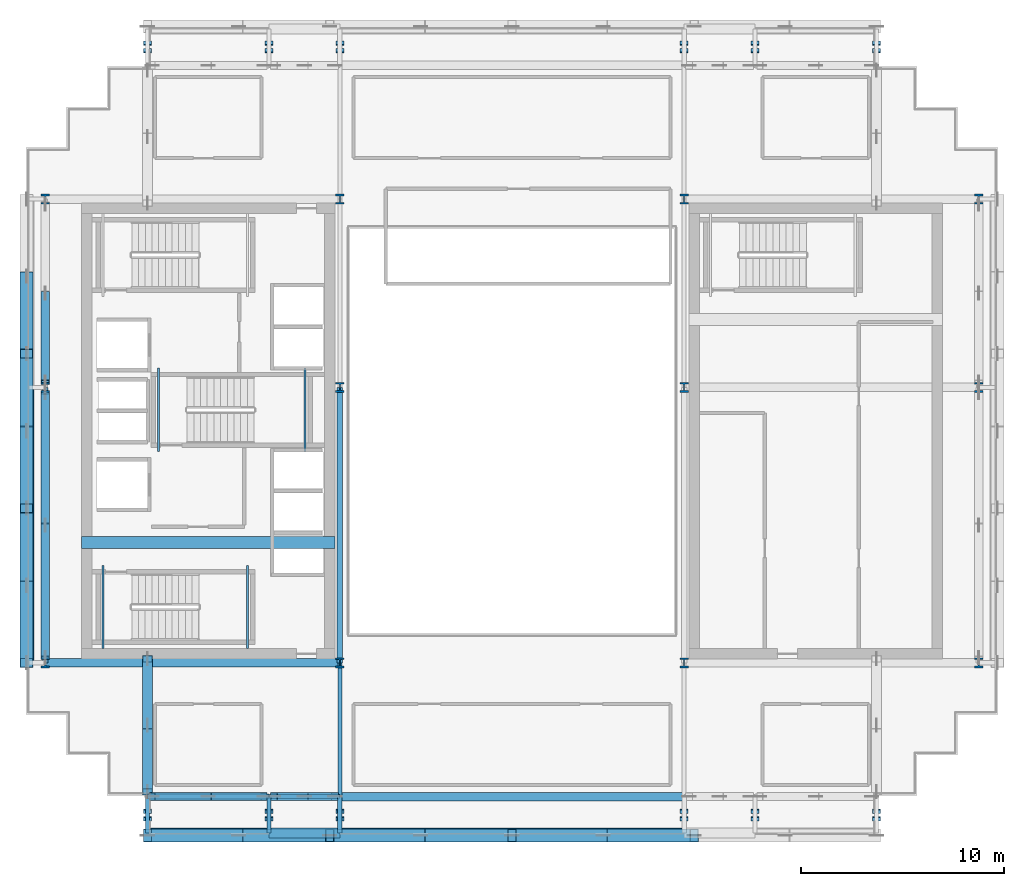
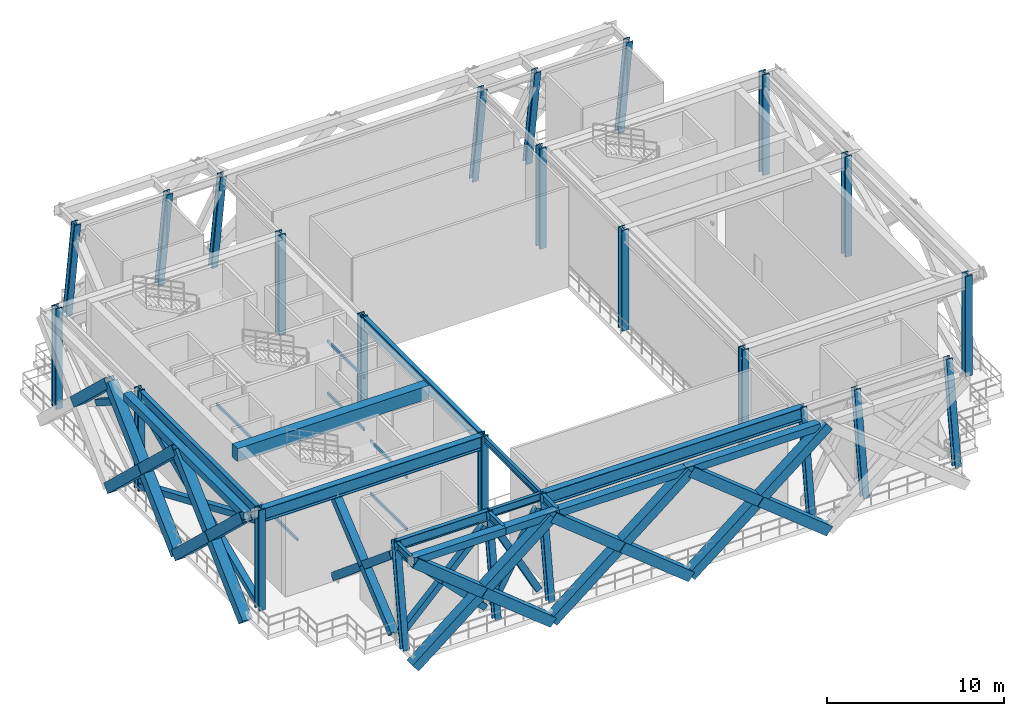
# One storey, part 1 of 13: 29 members, 24 columns, 21 beams.
"""IFC4 building model written with IfcOpenShell, lengths in metres."""

from ifc_helpers import new_model, si_unit, direction, frame, origin, origin_2d, place, context, subcontext, project, spatial, rectangle, hollow_rectangle, i_section, extrude, source, transform, mapped, material, material_profile, profile_set, type_object, element, save


model = new_model("IFC4")

# Units and contexts
model_context = context("Model", 3, precision=1e-05, world=origin(), true_north=direction((0.0, 1.0)))
body_context = subcontext(model_context, "Body", "Model", "MODEL_VIEW")
ifc_project = project(units=[si_unit("LENGTHUNIT", "METRE"), si_unit("AREAUNIT", "SQUARE_METRE"), si_unit("VOLUMEUNIT", "CUBIC_METRE"), si_unit("PLANEANGLEUNIT", "RADIAN"), si_unit("MASSUNIT", "GRAM", prefix="KILO")], contexts=[model_context])

# Site, building, storey
site_placement = place(None, origin())
site = spatial("IfcSite", under=ifc_project, at=site_placement, CompositionType="ELEMENT")
building_placement = place(site_placement, origin())
building = spatial("IfcBuilding", under=site, at=building_placement, Name="Ocotamira Hotel", CompositionType="ELEMENT")
storey_placement = place(building_placement, frame((0.0, 0.0, 220.800048828125)))
storey = spatial("IfcBuildingStorey", under=building, at=storey_placement, Name="L56", CompositionType="ELEMENT", Elevation=220.800048828125)

# Columns
ifc_material_1 = material(Name="Steel ASTM A913 Grade 65", Category="steel")
ifc_material_profile_1 = material_profile(ifc_material_1, i_section(OverallWidth=0.431884765625, OverallDepth=0.498046875, WebThickness=0.0556640625, FlangeThickness=0.0888671875, FilletRadius=0.02490234375, at=origin_2d()), Name="W14X500")
ifc_profile_set_1 = profile_set([ifc_material_profile_1], Name="Steel ASTM A913 Grade 65")
column_type_1 = type_object("IfcColumnType", Name="COL-W14X500", PredefinedType="COLUMN", material=ifc_profile_set_1)
shared_shape_1 = source(origin(), body_context, "Body", "SweptSolid", [
    extrude(i_section(OverallWidth=0.431884765625, OverallDepth=0.498046875, WebThickness=0.0556640625, FlangeThickness=0.0888671875, FilletRadius=0.02490234375, at=origin_2d()), origin(), (0.0, 0.0, 1.0), 6.919921875),
])
for number, where, z_axis, x_axis, name in (
    (1, (8.949951171875, 14.550048828125, 0.0), (0.0, 0.0, 1.0), (1.0, 0.0, 0.0), "L56 Column TW8_14"),
    (2, (23.5, 14.550048828125, 0.0), (0.0, 0.0, 1.0), (1.0, 0.0, 0.0), "L56 Column TW23_14"),
    (3, (40.5, 14.550048828125, 0.0), (0.0, 0.0, 1.0), (1.0, 0.0, 0.0), "L56 Column TE40_14"),
    (4, (55.050048828125, 14.550048828125, 0.0), (0.0, 0.0, 1.0), (1.0, 0.0, 0.0), "L56 Column TE55_14"),
    (5, (8.949951171875, 28.14990234375, 0.0), (0.0, 0.0, 1.0), (1.0, 0.0, 0.0), "L56 Column TW8_28"),
    (6, (23.5, 28.14990234375, 0.0), (0.0, 0.0, 1.0), (1.0, 0.0, 0.0), "L56 Column TW23_28"),
    (7, (40.5, 28.14990234375, 0.0), (0.0, 0.0, 1.0), (1.0, 0.0, 0.0), "L56 Column TE40_28"),
    (8, (55.050048828125, 28.14990234375, 0.0), (0.0, 0.0, 1.0), (1.0, 0.0, 0.0), "L56 Column TE55_28"),
    (9, (8.949951171875, 37.449951171875, 0.0), (0.0, 0.0, 1.0), (1.0, 0.0, 0.0), "L56 Column TW8_37"),
    (10, (23.5, 37.449951171875, 0.0), (0.0, 0.0, 1.0), (1.0, 0.0, 0.0), "L56 Column TW23_37"),
    (11, (40.5, 37.449951171875, 0.0), (0.0, 0.0, 1.0), (1.0, 0.0, 0.0), "L56 Column TE40_37"),
    (12, (55.050048828125, 37.449951171875, 0.0), (0.0, 0.0, 1.0), (1.0, 0.0, 0.0), "L56 Column TE55_37"),
):
    element("IfcColumn", number, at=place(storey_placement, frame(where, z_axis=z_axis, x_axis=x_axis)), inside=storey, type_object=column_type_1, Name=name, PredefinedType="COLUMN", context=body_context, shape_type="MappedRepresentation", body=[
        mapped(shared_shape_1, transform((0.0, 0.0, 0.0), scale=1.0)),
    ])
ifc_material_profile_2 = material_profile(ifc_material_1, i_section(OverallWidth=0.404052734375, OverallDepth=0.406982421875, WebThickness=0.027099609375, FlangeThickness=0.043701171875, FilletRadius=0.02490234375, at=origin_2d()), Name="W14X233")
ifc_profile_set_2 = profile_set([ifc_material_profile_2], Name="Steel ASTM A913 Grade 65")
column_type_2 = type_object("IfcColumnType", Name="COL-W14X233", PredefinedType="COLUMN", material=ifc_profile_set_2)
shared_shape_2 = source(origin(), body_context, "Body", "SweptSolid", [
    extrude(i_section(OverallWidth=0.404052734375, OverallDepth=0.406982421875, WebThickness=0.027099609375, FlangeThickness=0.043701171875, FilletRadius=0.02490234375, at=origin_2d()), origin(), (0.0, 0.0, 1.0), 6.99169921875),
])
for number, where, z_axis, x_axis, name in (
    (13, (14.0, 6.949951171875, 0.0), (0.0, 0.1430246107, 0.989719132246), (-1.0, 0.0, 0.0), "L56 Column NSP1_14"),
    (14, (20.0, 6.949951171875, 0.0), (0.0, 0.1430246107, 0.989719132246), (-1.0, 0.0, 0.0), "L56 Column NSP1_20"),
    (15, (23.5, 6.949951171875, 0.0), (0.0, 0.1430246107, 0.989719132246), (-1.0, 0.0, 0.0), "L56 Column NSP1_23"),
    (16, (40.5, 6.949951171875, 0.0), (0.0, 0.1430246107, 0.989719132246), (-1.0, 0.0, 0.0), "L56 Column NSP1_40"),
    (17, (44.0, 6.949951171875, 0.0), (0.0, 0.1430246107, 0.989719132246), (-1.0, 0.0, 0.0), "L56 Column NSP1_44"),
    (18, (50.0, 6.949951171875, 0.0), (0.0, 0.1430246107, 0.989719132246), (-1.0, 0.0, 0.0), "L56 Column NSP1_50"),
    (19, (14.0, 45.050048828125, 0.0), (0.0, -0.1430246107, 0.989719132246), (1.0, 0.0, 0.0), "L56 Column NSP2_14"),
    (20, (20.0, 45.050048828125, 0.0), (0.0, -0.1430246107, 0.989719132246), (1.0, 0.0, 0.0), "L56 Column NSP2_20"),
    (21, (23.5, 45.050048828125, 0.0), (0.0, -0.1430246107, 0.989719132246), (1.0, 0.0, 0.0), "L56 Column NSP2_23"),
    (22, (40.5, 45.050048828125, 0.0), (0.0, -0.1430246107, 0.989719132246), (1.0, 0.0, 0.0), "L56 Column NSP2_40"),
    (23, (44.0, 45.050048828125, 0.0), (0.0, -0.1430246107, 0.989719132246), (1.0, 0.0, 0.0), "L56 Column NSP2_44"),
    (24, (50.0, 45.050048828125, 0.0), (0.0, -0.1430246107, 0.989719132246), (1.0, 0.0, 0.0), "L56 Column NSP2_50"),
):
    element("IfcColumn", number, at=place(storey_placement, frame(where, z_axis=z_axis, x_axis=x_axis)), inside=storey, type_object=column_type_2, Name=name, PredefinedType="COLUMN", context=body_context, shape_type="MappedRepresentation", body=[
        mapped(shared_shape_2, transform((0.0, 0.0, 0.0), scale=1.0)),
    ])

# Beams
ifc_material_2 = material(Name="Concrete C50/60", Category="concrete")
ifc_material_profile_3 = material_profile(ifc_material_2, rectangle(XDim=0.60009765625, YDim=0.89990234375, at=origin_2d()), Name="RC600X900")
ifc_profile_set_3 = profile_set([ifc_material_profile_3], Name="Concrete C50/60")
beam_type_1 = type_object("IfcBeamType", Name="BM-LINK-RC600", PredefinedType="LINTEL", material=ifc_profile_set_3)
shared_shape_3 = source(origin(), body_context, "Body", "SweptSolid", [
    extrude(rectangle(XDim=0.60009765625, YDim=0.89990234375, at=origin_2d()), origin(), (0.0, 0.0, 1.0), 12.5),
])
beam_1_placement = place(storey_placement, frame((10.75, 20.5, 6.469970703125), z_axis=(1.0, 0.0, 0.0), x_axis=(0.0, 1.0, 0.0)))
element("IfcBeam", 25, at=beam_1_placement, inside=storey, type_object=beam_type_1, Name="L56 West Core Coupling Beam", PredefinedType="LINTEL", context=body_context, shape_type="MappedRepresentation", body=[
    mapped(shared_shape_3, transform((0.0, 0.0, 0.0), scale=1.0)),
])
ifc_material_3 = material(Name="Steel ASTM A500 Grade C", Category="steel")
ifc_material_profile_4 = material_profile(ifc_material_3, hollow_rectangle(XDim=0.10009765625, YDim=0.199951171875, WallThickness=0.008056640625, at=origin_2d()), Name="HSS200X100X8")
ifc_profile_set_4 = profile_set([ifc_material_profile_4], Name="Steel ASTM A500 Grade C")
beam_type_2 = type_object("IfcBeamType", Name="BM-STLDG-HSS200", PredefinedType="BEAM", material=ifc_profile_set_4)
shared_shape_4 = source(origin(), body_context, "Body", "SweptSolid", [
    extrude(hollow_rectangle(XDim=0.10009765625, YDim=0.199951171875, WallThickness=0.008056640625, at=origin_2d()), origin(), (0.0, 0.0, 1.0), 4.1201171875),
])
for number, where, z_axis, x_axis, name in (
    (26, (18.949951171875, 15.25, 1.5), (0.0, 1.0, 0.0), (-1.0, 0.0, 0.0), "L56 Stair ST-1 Landing Bearer 1"),
    (27, (11.81005859375, 15.25, 3.300048828125), (0.0, 1.0, 0.0), (-1.0, 0.0, 0.0), "L56 Stair ST-1 Landing Bearer 2"),
    (28, (18.949951171875, 15.25, 5.099853515625), (0.0, 1.0, 0.0), (-1.0, 0.0, 0.0), "L56 Stair ST-1 Landing Bearer 3"),
    (29, (21.780029296875, 24.97998046875, 1.5), (0.0, 1.0, 0.0), (-1.0, 0.0, 0.0), "L56 Stair ST-3 Landing Bearer 1"),
    (30, (14.5400390625, 24.97998046875, 3.300048828125), (0.0, 1.0, 0.0), (-1.0, 0.0, 0.0), "L56 Stair ST-3 Landing Bearer 2"),
    (31, (21.780029296875, 24.97998046875, 5.099853515625), (0.0, 1.0, 0.0), (-1.0, 0.0, 0.0), "L56 Stair ST-3 Landing Bearer 3"),
):
    element("IfcBeam", number, at=place(storey_placement, frame(where, z_axis=z_axis, x_axis=x_axis)), inside=storey, type_object=beam_type_2, Name=name, PredefinedType="BEAM", context=body_context, shape_type="MappedRepresentation", body=[
        mapped(shared_shape_4, transform((0.0, 0.0, 0.0), scale=1.0)),
    ])
ifc_material_4 = material(Name="Steel ASTM A992 Grade 50", Category="steel")
ifc_material_profile_5 = material_profile(ifc_material_4, i_section(OverallWidth=0.41796875, OverallDepth=0.927001953125, WebThickness=0.019287109375, FlangeThickness=0.031982421875, FilletRadius=0.02392578125, at=origin_2d()), Name="W36X231")
ifc_profile_set_5 = profile_set([ifc_material_profile_5], Name="Steel ASTM A992 Grade 50")
beam_type_3 = type_object("IfcBeamType", Name="BM-GIRD-W36X231", PredefinedType="BEAM", material=ifc_profile_set_5)
shared_shape_5 = source(origin(), body_context, "Body", "SweptSolid", [
    extrude(i_section(OverallWidth=0.41796875, OverallDepth=0.927001953125, WebThickness=0.019287109375, FlangeThickness=0.031982421875, FilletRadius=0.02392578125, at=origin_2d()), origin(), (0.0, 0.0, 1.0), 14.550048828125),
])
beam_2_placement = place(storey_placement, frame((8.949951171875, 14.550048828125, 6.45654296875), z_axis=(1.0, 0.0, 0.0), x_axis=(0.0, 1.0, 0.0)))
element("IfcBeam", 32, at=beam_2_placement, inside=storey, type_object=beam_type_3, Name="L56 Girder Y14.55 X8.95-23.5", PredefinedType="BEAM", context=body_context, shape_type="MappedRepresentation", body=[
    mapped(shared_shape_5, transform((0.0, 0.0, 0.0), scale=1.0)),
])
shared_shape_6 = source(origin(), body_context, "Body", "SweptSolid", [
    extrude(i_section(OverallWidth=0.41796875, OverallDepth=0.927001953125, WebThickness=0.019287109375, FlangeThickness=0.031982421875, FilletRadius=0.02392578125, at=origin_2d()), origin(), (0.0, 0.0, 1.0), 17.0),
])
beam_3_placement = place(storey_placement, frame((23.5, 7.949951171875, 6.45654296875), z_axis=(1.0, 0.0, 0.0), x_axis=(0.0, 1.0, 0.0)))
element("IfcBeam", 33, at=beam_3_placement, inside=storey, type_object=beam_type_3, Name="L56 Girder Y7.95 X23.5-40.5", PredefinedType="BEAM", context=body_context, shape_type="MappedRepresentation", body=[
    mapped(shared_shape_6, transform((0.0, 0.0, 0.0), scale=1.0)),
])
ifc_material_profile_6 = material_profile(ifc_material_4, i_section(OverallWidth=0.256103515625, OverallDepth=0.693115234375, WebThickness=0.014404296875, FlangeThickness=0.023681640625, FilletRadius=0.01611328125, at=origin_2d()), Name="W27X114")
ifc_profile_set_6 = profile_set([ifc_material_profile_6], Name="Steel ASTM A992 Grade 50")
beam_type_4 = type_object("IfcBeamType", Name="BM-PRIM-W27X114", PredefinedType="BEAM", material=ifc_profile_set_6)
shared_shape_7 = source(origin(), body_context, "Body", "SweptSolid", [
    extrude(i_section(OverallWidth=0.256103515625, OverallDepth=0.693115234375, WebThickness=0.014404296875, FlangeThickness=0.023681640625, FilletRadius=0.01611328125, at=origin_2d()), origin(), (0.0, 0.0, 1.0), 6.0),
])
beam_4_placement = place(storey_placement, frame((14.0, 7.949951171875, 6.573486328125), z_axis=(1.0, 0.0, 0.0), x_axis=(0.0, 1.0, 0.0)))
element("IfcBeam", 34, at=beam_4_placement, inside=storey, type_object=beam_type_4, Name="L56 Girder Y7.95 X14-20", PredefinedType="BEAM", context=body_context, shape_type="MappedRepresentation", body=[
    mapped(shared_shape_7, transform((0.0, 0.0, 0.0), scale=1.0)),
])
ifc_material_profile_7 = material_profile(ifc_material_4, i_section(OverallWidth=0.2099609375, OverallDepth=0.537109375, WebThickness=0.010986328125, FlangeThickness=0.017333984375, FilletRadius=0.012939453125, at=origin_2d()), Name="W21X68")
ifc_profile_set_7 = profile_set([ifc_material_profile_7], Name="Steel ASTM A992 Grade 50")
beam_type_5 = type_object("IfcBeamType", Name="BM-SEC-W21X68", PredefinedType="JOIST", material=ifc_profile_set_7)
shared_shape_8 = source(origin(), body_context, "Body", "SweptSolid", [
    extrude(i_section(OverallWidth=0.2099609375, OverallDepth=0.537109375, WebThickness=0.010986328125, FlangeThickness=0.017333984375, FilletRadius=0.012939453125, at=origin_2d()), origin(), (0.0, 0.0, 1.0), 3.5),
])
beam_5_placement = place(storey_placement, frame((20.0, 7.949951171875, 6.6513671875), z_axis=(1.0, 0.0, 0.0), x_axis=(0.0, 1.0, 0.0)))
element("IfcBeam", 35, at=beam_5_placement, inside=storey, type_object=beam_type_5, Name="L56 Girder Y7.95 X20-23.5", PredefinedType="JOIST", context=body_context, shape_type="MappedRepresentation", body=[
    mapped(shared_shape_8, transform((0.0, 0.0, 0.0), scale=1.0)),
])
ifc_material_profile_8 = material_profile(ifc_material_4, i_section(OverallWidth=0.26611328125, OverallDepth=0.779052734375, WebThickness=0.0166015625, FlangeThickness=0.030029296875, FilletRadius=0.01806640625, at=origin_2d()), Name="W30X148")
ifc_profile_set_8 = profile_set([ifc_material_profile_8], Name="Steel ASTM A992 Grade 50")
beam_type_6 = type_object("IfcBeamType", Name="BM-GIRD-W30X148", PredefinedType="BEAM", material=ifc_profile_set_8)
shared_shape_9 = source(origin(), body_context, "Body", "SweptSolid", [
    extrude(i_section(OverallWidth=0.26611328125, OverallDepth=0.779052734375, WebThickness=0.0166015625, FlangeThickness=0.030029296875, FilletRadius=0.01806640625, at=origin_2d()), origin(), (0.0, 0.0, 1.0), 13.599853515625),
])
for number, where, z_axis, x_axis, name in (
    (36, (8.949951171875, 14.550048828125, 6.530517578125), (0.0, 1.0, 0.0), (-1.0, 0.0, 0.0), "L56 Beam X8.95 Y14.55-28.15"),
    (37, (23.5, 14.550048828125, 6.530517578125), (0.0, 1.0, 0.0), (-1.0, 0.0, 0.0), "L56 Beam X23.5 Y14.55-28.15"),
):
    element("IfcBeam", number, at=place(storey_placement, frame(where, z_axis=z_axis, x_axis=x_axis)), inside=storey, type_object=beam_type_6, Name=name, PredefinedType="BEAM", context=body_context, shape_type="MappedRepresentation", body=[
        mapped(shared_shape_9, transform((0.0, 0.0, 0.0), scale=1.0)),
    ])
ifc_material_profile_9 = material_profile(ifc_material_3, hollow_rectangle(XDim=0.5, YDim=0.5, WallThickness=0.02001953125, at=origin_2d()), Name="HSS500X500X20")
ifc_profile_set_9 = profile_set([ifc_material_profile_9], Name="Steel ASTM A500 Grade C")
beam_type_7 = type_object("IfcBeamType", Name="BM-SPAN-HSS500", PredefinedType="USERDEFINED", material=ifc_profile_set_9)
shared_shape_10 = source(origin(), body_context, "Body", "SweptSolid", [
    extrude(hollow_rectangle(XDim=0.5, YDim=0.5, WallThickness=0.02001953125, at=origin_2d()), origin(), (0.0, 0.0, 1.0), 6.0),
])
beam_6_placement = place(storey_placement, frame((14.0, 6.14990234375, 6.669921875), z_axis=(1.0, 0.0, 0.0), x_axis=(0.0, 1.0, 0.0)))
element("IfcBeam", 38, at=beam_6_placement, inside=storey, type_object=beam_type_7, Name="L56 Edge Spandrel S X14-20", ObjectType="SPANDREL", PredefinedType="USERDEFINED", context=body_context, shape_type="MappedRepresentation", body=[
    mapped(shared_shape_10, transform((0.0, 0.0, 0.0), scale=1.0)),
])
shared_shape_11 = source(origin(), body_context, "Body", "SweptSolid", [
    extrude(hollow_rectangle(XDim=0.5, YDim=0.5, WallThickness=0.02001953125, at=origin_2d()), origin(), (0.0, 0.0, 1.0), 13.599853515625),
])
beam_7_placement = place(storey_placement, frame((8.14990234375, 14.550048828125, 6.669921875), z_axis=(0.0, 1.0, 0.0), x_axis=(-1.0, 0.0, 0.0)))
element("IfcBeam", 39, at=beam_7_placement, inside=storey, type_object=beam_type_7, Name="L56 Edge Spandrel W Y14.55-28.15", ObjectType="SPANDREL", PredefinedType="USERDEFINED", context=body_context, shape_type="MappedRepresentation", body=[
    mapped(shared_shape_11, transform((0.0, 0.0, 0.0), scale=1.0)),
])
shared_shape_12 = source(origin(), body_context, "Body", "SweptSolid", [
    extrude(hollow_rectangle(XDim=0.5, YDim=0.5, WallThickness=0.02001953125, at=origin_2d()), origin(), (0.0, 0.0, 1.0), 3.5),
])
beam_8_placement = place(storey_placement, frame((20.0, 6.14990234375, 6.669921875), z_axis=(1.0, 0.0, 0.0), x_axis=(0.0, 1.0, 0.0)))
element("IfcBeam", 40, at=beam_8_placement, inside=storey, type_object=beam_type_7, Name="L56 Edge Spandrel S X20-23.5", ObjectType="SPANDREL", PredefinedType="USERDEFINED", context=body_context, shape_type="MappedRepresentation", body=[
    mapped(shared_shape_12, transform((0.0, 0.0, 0.0), scale=1.0)),
])
shared_shape_13 = source(origin(), body_context, "Body", "SweptSolid", [
    extrude(hollow_rectangle(XDim=0.5, YDim=0.5, WallThickness=0.02001953125, at=origin_2d()), origin(), (0.0, 0.0, 1.0), 17.0),
])
beam_9_placement = place(storey_placement, frame((23.5, 6.14990234375, 6.669921875), z_axis=(1.0, 0.0, 0.0), x_axis=(0.0, 1.0, 0.0)))
element("IfcBeam", 41, at=beam_9_placement, inside=storey, type_object=beam_type_7, Name="L56 Edge Spandrel S X23.5-40.5", ObjectType="SPANDREL", PredefinedType="USERDEFINED", context=body_context, shape_type="MappedRepresentation", body=[
    mapped(shared_shape_13, transform((0.0, 0.0, 0.0), scale=1.0)),
])
ifc_material_profile_10 = material_profile(ifc_material_4, i_section(OverallWidth=0.18994140625, OverallDepth=0.45703125, WebThickness=0.009033203125, FlangeThickness=0.014404296875, FilletRadius=0.010009765625, at=origin_2d()), Name="W18X50")
ifc_profile_set_10 = profile_set([ifc_material_profile_10], Name="Steel ASTM A992 Grade 50")
beam_type_8 = type_object("IfcBeamType", Name="BM-SEC-W18X50", PredefinedType="JOIST", material=ifc_profile_set_10)
shared_shape_14 = source(origin(), body_context, "Body", "SweptSolid", [
    extrude(i_section(OverallWidth=0.18994140625, OverallDepth=0.45703125, WebThickness=0.009033203125, FlangeThickness=0.014404296875, FilletRadius=0.010009765625, at=origin_2d()), origin(), (0.0, 0.0, 1.0), 6.60009765625),
])
beam_10_placement = place(storey_placement, frame((23.5, 7.949951171875, 6.69140625), z_axis=(0.0, 1.0, 0.0), x_axis=(-1.0, 0.0, 0.0)))
element("IfcBeam", 42, at=beam_10_placement, inside=storey, type_object=beam_type_8, Name="L56 Beam X23.5 Y7.95-14.55", PredefinedType="JOIST", context=body_context, shape_type="MappedRepresentation", body=[
    mapped(shared_shape_14, transform((0.0, 0.0, 0.0), scale=1.0)),
])
shared_shape_15 = source(origin(), body_context, "Body", "SweptSolid", [
    extrude(i_section(OverallWidth=0.2099609375, OverallDepth=0.537109375, WebThickness=0.010986328125, FlangeThickness=0.017333984375, FilletRadius=0.012939453125, at=origin_2d()), origin(), (0.0, 0.0, 1.0), 1.800048828125),
])
for number, where, z_axis, x_axis, name in (
    (43, (14.0, 7.949951171875, 6.6513671875), (0.0, -1.0, 0.0), (1.0, 0.0, 0.0), "L56 South Edge Header X14"),
    (44, (20.0, 7.949951171875, 6.6513671875), (0.0, -1.0, 0.0), (1.0, 0.0, 0.0), "L56 South Edge Header X20"),
    (45, (23.5, 7.949951171875, 6.6513671875), (0.0, -1.0, 0.0), (1.0, 0.0, 0.0), "L56 South Edge Header X23.5"),
):
    element("IfcBeam", number, at=place(storey_placement, frame(where, z_axis=z_axis, x_axis=x_axis)), inside=storey, type_object=beam_type_5, Name=name, PredefinedType="JOIST", context=body_context, shape_type="MappedRepresentation", body=[
        mapped(shared_shape_15, transform((0.0, 0.0, 0.0), scale=1.0)),
    ])

# Members
ifc_material_profile_11 = material_profile(ifc_material_1, hollow_rectangle(XDim=0.39990234375, YDim=0.39990234375, WallThickness=0.01611328125, at=origin_2d()), Name="HSS400X400X16")
ifc_profile_set_11 = profile_set([ifc_material_profile_11], Name="Steel ASTM A913 Grade 65")
member_type_1 = type_object("IfcMemberType", Name="MEM-BELT-HSS400", PredefinedType="BRACE", material=ifc_profile_set_11)
shared_shape_16 = source(origin(), body_context, "Body", "SweptSolid", [
    extrude(hollow_rectangle(XDim=0.39990234375, YDim=0.39990234375, WallThickness=0.01611328125, at=origin_2d()), origin(), (0.0, 0.0, 1.0), 7.870361328125),
])
member_1_placement = place(storey_placement, frame((14.239990234375, 7.949951171875, 0.349853515625), z_axis=(0.701360444037, 0.0, 0.71280679538), x_axis=(0.0, 1.0, 0.0)))
element("IfcMember", 46, at=member_1_placement, inside=storey, type_object=member_type_1, Name="L56 Belt Truss Diagonal 14,7.95 A", PredefinedType="BRACE", context=body_context, shape_type="MappedRepresentation", body=[
    mapped(shared_shape_16, transform((0.0, 0.0, 0.0), scale=1.0)),
])
shared_shape_17 = source(origin(), body_context, "Body", "SweptSolid", [
    extrude(hollow_rectangle(XDim=0.39990234375, YDim=0.39990234375, WallThickness=0.01611328125, at=origin_2d()), origin(), (0.0, 0.0, 1.0), 3.915283203125),
])
for number, where, z_axis, x_axis, name in (
    (47, (14.239990234375, 7.949951171875, 5.9599609375), (0.70137820504, 0.0, -0.712789319151), (0.0, 1.0, 0.0), "L56 Belt Truss Diagonal 14,7.95 B Lower Half"),
    (48, (17.013916015625, 7.949951171875, 3.140625), (0.70137820504, 0.0, -0.712789319151), (0.0, 1.0, 0.0), "L56 Belt Truss Diagonal 14,7.95 B Upper Half"),
):
    element("IfcMember", number, at=place(storey_placement, frame(where, z_axis=z_axis, x_axis=x_axis)), inside=storey, type_object=member_type_1, Name=name, PredefinedType="BRACE", context=body_context, shape_type="MappedRepresentation", body=[
        mapped(shared_shape_17, transform((0.0, 0.0, 0.0), scale=1.0)),
    ])
shared_shape_18 = source(origin(), body_context, "Body", "SweptSolid", [
    extrude(hollow_rectangle(XDim=0.39990234375, YDim=0.39990234375, WallThickness=0.01611328125, at=origin_2d()), origin(), (0.0, 0.0, 1.0), 3.16552734375),
])
member_2_placement = place(storey_placement, frame((20.239990234375, 7.949951171875, 5.9599609375), z_axis=(0.474003238469, 0.0, -0.880523100163), x_axis=(0.0, 1.0, 0.0)))
element("IfcMember", 49, at=member_2_placement, inside=storey, type_object=member_type_1, Name="L56 Belt Truss Diagonal 20,7.95 B Lower Half", PredefinedType="BRACE", context=body_context, shape_type="MappedRepresentation", body=[
    mapped(shared_shape_18, transform((0.0, 0.0, 0.0), scale=1.0)),
])
ifc_material_profile_12 = material_profile(ifc_material_1, hollow_rectangle(XDim=0.5, YDim=0.5, WallThickness=0.02001953125, at=origin_2d()), Name="HSS500X500X20")
ifc_profile_set_12 = profile_set([ifc_material_profile_12], Name="Steel ASTM A913 Grade 65")
member_type_2 = type_object("IfcMemberType", Name="MEM-OUT-HSS500", PredefinedType="BRACE", material=ifc_profile_set_12)
shared_shape_19 = source(origin(), body_context, "Body", "SweptSolid", [
    extrude(hollow_rectangle(XDim=0.5, YDim=0.5, WallThickness=0.02001953125, at=origin_2d()), origin(), (0.0, 0.0, 1.0), 8.561767578125),
])
member_3_placement = place(storey_placement, frame((14.0, 14.75, 0.349853515625), z_axis=(0.0, -0.767362807568, 0.641213163902), x_axis=(1.0, 0.0, 0.0)))
element("IfcMember", 50, at=member_3_placement, inside=storey, type_object=member_type_2, Name="L56 Outrigger Truss S X14 A", PredefinedType="BRACE", context=body_context, shape_type="MappedRepresentation", body=[
    mapped(shared_shape_19, transform((0.0, 0.0, 0.0), scale=1.0)),
])
shared_shape_20 = source(origin(), body_context, "Body", "SweptSolid", [
    extrude(hollow_rectangle(XDim=0.5, YDim=0.5, WallThickness=0.02001953125, at=origin_2d()), origin(), (0.0, 0.0, 1.0), 4.2607421875),
])
member_4_placement = place(storey_placement, frame((14.0, 14.75, 5.83984375), z_axis=(0.0, -0.767346990836, -0.641232091879), x_axis=(1.0, 0.0, 0.0)))
element("IfcMember", 51, at=member_4_placement, inside=storey, type_object=member_type_2, Name="L56 Outrigger Truss S X14 B Lower Half", PredefinedType="BRACE", context=body_context, shape_type="MappedRepresentation", body=[
    mapped(shared_shape_20, transform((0.0, 0.0, 0.0), scale=1.0)),
])
shared_shape_21 = source(origin(), body_context, "Body", "SweptSolid", [
    extrude(hollow_rectangle(XDim=0.5, YDim=0.5, WallThickness=0.02001953125, at=origin_2d()), origin(), (0.0, 0.0, 1.0), 4.260986328125),
])
member_5_placement = place(storey_placement, frame((14.0, 11.44970703125, 3.08203125), z_axis=(0.0, -0.767370549367, -0.6412038989), x_axis=(1.0, 0.0, 0.0)))
element("IfcMember", 52, at=member_5_placement, inside=storey, type_object=member_type_2, Name="L56 Outrigger Truss S X14 B Upper Half", PredefinedType="BRACE", context=body_context, shape_type="MappedRepresentation", body=[
    mapped(shared_shape_21, transform((0.0, 0.0, 0.0), scale=1.0)),
])
shared_shape_22 = source(origin(), body_context, "Body", "SweptSolid", [
    extrude(hollow_rectangle(XDim=0.39990234375, YDim=0.39990234375, WallThickness=0.01611328125, at=origin_2d()), origin(), (0.0, 0.0, 1.0), 6.371337890625),
])
member_6_placement = place(storey_placement, frame((20.239990234375, 7.949951171875, 0.349853515625), z_axis=(0.474001562656, 0.0, 0.880524002285), x_axis=(0.0, 1.0, 0.0)))
element("IfcMember", 53, at=member_6_placement, inside=storey, type_object=member_type_1, Name="L56 Belt Truss Diagonal 20,7.95 A", PredefinedType="BRACE", context=body_context, shape_type="MappedRepresentation", body=[
    mapped(shared_shape_22, transform((0.0, 0.0, 0.0), scale=1.0)),
])
shared_shape_23 = source(origin(), body_context, "Body", "SweptSolid", [
    extrude(hollow_rectangle(XDim=0.39990234375, YDim=0.39990234375, WallThickness=0.01611328125, at=origin_2d()), origin(), (0.0, 0.0, 1.0), 3.165771484375),
])
member_7_placement = place(storey_placement, frame((21.759521484375, 7.949951171875, 3.137451171875), z_axis=(0.473971051091, 0.0, -0.880540426515), x_axis=(0.0, 1.0, 0.0)))
element("IfcMember", 54, at=member_7_placement, inside=storey, type_object=member_type_1, Name="L56 Belt Truss Diagonal 20,7.95 B Upper Half", PredefinedType="BRACE", context=body_context, shape_type="MappedRepresentation", body=[
    mapped(shared_shape_23, transform((0.0, 0.0, 0.0), scale=1.0)),
])
shared_shape_24 = source(origin(), body_context, "Body", "SweptSolid", [
    extrude(hollow_rectangle(XDim=0.39990234375, YDim=0.39990234375, WallThickness=0.01611328125, at=origin_2d()), origin(), (0.0, 0.0, 1.0), 14.25048828125),
])
member_8_placement = place(storey_placement, frame((8.949951171875, 14.800048828125, 0.349853515625), z_axis=(0.0, 0.919249561666, 0.393675301965), x_axis=(-1.0, 0.0, 0.0)))
element("IfcMember", 55, at=member_8_placement, inside=storey, type_object=member_type_1, Name="L56 Belt Truss Diagonal 8.95,14.55 A", PredefinedType="BRACE", context=body_context, shape_type="MappedRepresentation", body=[
    mapped(shared_shape_24, transform((0.0, 0.0, 0.0), scale=1.0)),
])
shared_shape_25 = source(origin(), body_context, "Body", "SweptSolid", [
    extrude(hollow_rectangle(XDim=0.39990234375, YDim=0.39990234375, WallThickness=0.01611328125, at=origin_2d()), origin(), (0.0, 0.0, 1.0), 7.105224609375),
])
for number, where, z_axis, x_axis, name in (
    (56, (8.949951171875, 14.800048828125, 5.9599609375), (0.0, 0.919251632975, -0.393670465331), (-1.0, 0.0, 0.0), "L56 Belt Truss Diagonal 8.95,14.55 B Lower Half"),
    (57, (8.949951171875, 21.368408203125, 3.14697265625), (0.0, 0.919251632975, -0.393670465331), (-1.0, 0.0, 0.0), "L56 Belt Truss Diagonal 8.95,14.55 B Upper Half"),
):
    element("IfcMember", number, at=place(storey_placement, frame(where, z_axis=z_axis, x_axis=x_axis)), inside=storey, type_object=member_type_1, Name=name, PredefinedType="BRACE", context=body_context, shape_type="MappedRepresentation", body=[
        mapped(shared_shape_25, transform((0.0, 0.0, 0.0), scale=1.0)),
    ])
shared_shape_26 = source(origin(), body_context, "Body", "SweptSolid", [
    extrude(hollow_rectangle(XDim=0.39990234375, YDim=0.39990234375, WallThickness=0.01611328125, at=origin_2d()), origin(), (0.0, 0.0, 1.0), 5.1982421875),
])
member_9_placement = place(storey_placement, frame((8.949951171875, 28.39990234375, 5.9599609375), z_axis=(0.0, 0.843241567994, -0.53753479702), x_axis=(-1.0, 0.0, 0.0)))
element("IfcMember", 58, at=member_9_placement, inside=storey, type_object=member_type_1, Name="L56 Belt Truss Diagonal 8.95,28.15 B Lower Half", PredefinedType="BRACE", context=body_context, shape_type="MappedRepresentation", body=[
    mapped(shared_shape_26, transform((0.0, 0.0, 0.0), scale=1.0)),
])
ifc_material_5 = material(Name="Pale-metal coated steel ASTM A913 Grade 65", Category="steel")
ifc_material_profile_13 = material_profile(ifc_material_5, hollow_rectangle(XDim=0.64990234375, YDim=0.64990234375, WallThickness=0.02197265625, at=origin_2d()), Name="BOX650X650X22")
ifc_profile_set_13 = profile_set([ifc_material_profile_13], Name="Pale-metal coated steel ASTM A913 Grade 65")
member_type_3 = type_object("IfcMemberType", Name="MEM-EXO-BOX650", PredefinedType="BRACE", material=ifc_profile_set_13)
shared_shape_27 = source(origin(), body_context, "Body", "SweptSolid", [
    extrude(hollow_rectangle(XDim=0.64990234375, YDim=0.64990234375, WallThickness=0.02197265625, at=origin_2d()), origin(), (0.0, 0.0, 1.0), 11.550537109375),
])
for number, where, z_axis, x_axis, name in (
    (59, (14.0, 6.030029296875, -0.570068359375), (0.779177095381, 0.0, 0.626803840156), (0.0, 1.0, 0.0), "L56 Exoskeleton Diagrid S0.1"),
    (60, (23.0, 6.030029296875, -0.570068359375), (0.779177095381, 0.0, 0.626803840156), (0.0, 1.0, 0.0), "L56 Exoskeleton Diagrid S1.1"),
    (61, (32.0, 6.030029296875, -0.570068359375), (0.779177095381, 0.0, 0.626803840156), (0.0, 1.0, 0.0), "L56 Exoskeleton Diagrid S2.1"),
):
    element("IfcMember", number, at=place(storey_placement, frame(where, z_axis=z_axis, x_axis=x_axis)), inside=storey, type_object=member_type_3, Name=name, PredefinedType="BRACE", context=body_context, shape_type="MappedRepresentation", body=[
        mapped(shared_shape_27, transform((0.0, 0.0, 0.0), scale=1.0)),
    ])
shared_shape_28 = source(origin(), body_context, "Body", "SweptSolid", [
    extrude(hollow_rectangle(XDim=0.64990234375, YDim=0.64990234375, WallThickness=0.02197265625, at=origin_2d()), origin(), (0.0, 0.0, 1.0), 5.75537109375),
])
for number, where, z_axis, x_axis, name in (
    (62, (23.0, 6.030029296875, -0.570068359375), (-0.779177419095, 0.0, 0.626803437748), (0.0, -1.0, 0.0), "L56 Exoskeleton Diagrid S0.2 Lower Half"),
    (63, (18.484375, 6.030029296875, 3.0625), (-0.779177419095, 0.0, 0.626803437748), (0.0, -1.0, 0.0), "L56 Exoskeleton Diagrid S0.2 Upper Half"),
    (64, (32.0, 6.030029296875, -0.570068359375), (-0.779177419095, 0.0, 0.626803437748), (0.0, -1.0, 0.0), "L56 Exoskeleton Diagrid S1.2 Lower Half"),
    (65, (27.484375, 6.030029296875, 3.0625), (-0.779177419095, 0.0, 0.626803437748), (0.0, -1.0, 0.0), "L56 Exoskeleton Diagrid S1.2 Upper Half"),
    (66, (41.0, 6.030029296875, -0.570068359375), (-0.779177419095, 0.0, 0.626803437748), (0.0, -1.0, 0.0), "L56 Exoskeleton Diagrid S2.2 Lower Half"),
    (67, (36.484375, 6.030029296875, 3.0625), (-0.779177419095, 0.0, 0.626803437748), (0.0, -1.0, 0.0), "L56 Exoskeleton Diagrid S2.2 Upper Half"),
):
    element("IfcMember", number, at=place(storey_placement, frame(where, z_axis=z_axis, x_axis=x_axis)), inside=storey, type_object=member_type_3, Name=name, PredefinedType="BRACE", context=body_context, shape_type="MappedRepresentation", body=[
        mapped(shared_shape_28, transform((0.0, 0.0, 0.0), scale=1.0)),
    ])
shared_shape_29 = source(origin(), body_context, "Body", "SweptSolid", [
    extrude(hollow_rectangle(XDim=0.64990234375, YDim=0.64990234375, WallThickness=0.02197265625, at=origin_2d()), origin(), (0.0, 0.0, 1.0), 10.520751953125),
])
for number, where, z_axis, x_axis, name in (
    (68, (8.030029296875, 14.550048828125, -0.570068359375), (0.0, 0.725551930721, 0.688167418458), (-1.0, 0.0, 0.0), "L56 Exoskeleton Diagrid W0.1"),
    (69, (8.030029296875, 22.183349609375, -0.570068359375), (0.0, 0.725551930721, 0.688167418458), (-1.0, 0.0, 0.0), "L56 Exoskeleton Diagrid W1.1"),
):
    element("IfcMember", number, at=place(storey_placement, frame(where, z_axis=z_axis, x_axis=x_axis)), inside=storey, type_object=member_type_3, Name=name, PredefinedType="BRACE", context=body_context, shape_type="MappedRepresentation", body=[
        mapped(shared_shape_29, transform((0.0, 0.0, 0.0), scale=1.0)),
    ])
shared_shape_30 = source(origin(), body_context, "Body", "SweptSolid", [
    extrude(hollow_rectangle(XDim=0.64990234375, YDim=0.64990234375, WallThickness=0.02197265625, at=origin_2d()), origin(), (0.0, 0.0, 1.0), 5.240478515625),
])
for number, where, z_axis, x_axis, name in (
    (70, (8.030029296875, 22.183349609375, -0.570068359375), (0.0, -0.725564492099, 0.688154174444), (1.0, 0.0, 0.0), "L56 Exoskeleton Diagrid W0.2 Lower Half"),
    (71, (8.030029296875, 29.816650390625, -0.570068359375), (0.0, -0.725564492099, 0.688154174444), (1.0, 0.0, 0.0), "L56 Exoskeleton Diagrid W1.2 Lower Half"),
    (72, (8.030029296875, 25.985595703125, 3.063720703125), (0.0, -0.725564492099, 0.688154174444), (1.0, 0.0, 0.0), "L56 Exoskeleton Diagrid W1.2 Upper Half"),
    (73, (8.030029296875, 33.618896484375, 3.063720703125), (0.0, -0.725564492099, 0.688154174444), (1.0, 0.0, 0.0), "L56 Exoskeleton Diagrid W2.2 Upper Half"),
):
    element("IfcMember", number, at=place(storey_placement, frame(where, z_axis=z_axis, x_axis=x_axis)), inside=storey, type_object=member_type_3, Name=name, PredefinedType="BRACE", context=body_context, shape_type="MappedRepresentation", body=[
        mapped(shared_shape_30, transform((0.0, 0.0, 0.0), scale=1.0)),
    ])
shared_shape_31 = source(origin(), body_context, "Body", "SweptSolid", [
    extrude(hollow_rectangle(XDim=0.64990234375, YDim=0.64990234375, WallThickness=0.02197265625, at=origin_2d()), origin(), (0.0, 0.0, 1.0), 5.240234375),
])
member_10_placement = place(storey_placement, frame((8.030029296875, 18.35205078125, 3.063720703125), z_axis=(0.0, -0.725542428855, 0.688177436372), x_axis=(1.0, 0.0, 0.0)))
element("IfcMember", 74, at=member_10_placement, inside=storey, type_object=member_type_3, Name="L56 Exoskeleton Diagrid W0.2 Upper Half", PredefinedType="BRACE", context=body_context, shape_type="MappedRepresentation", body=[
    mapped(shared_shape_31, transform((0.0, 0.0, 0.0), scale=1.0)),
])

save(model, "model.ifc")
